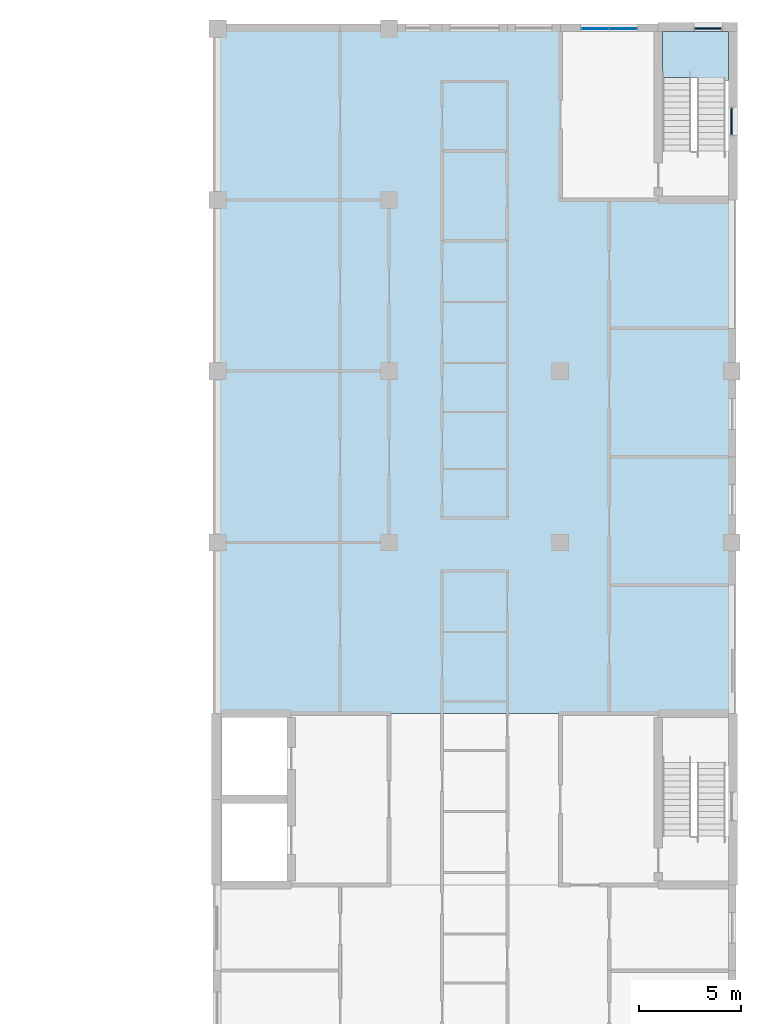
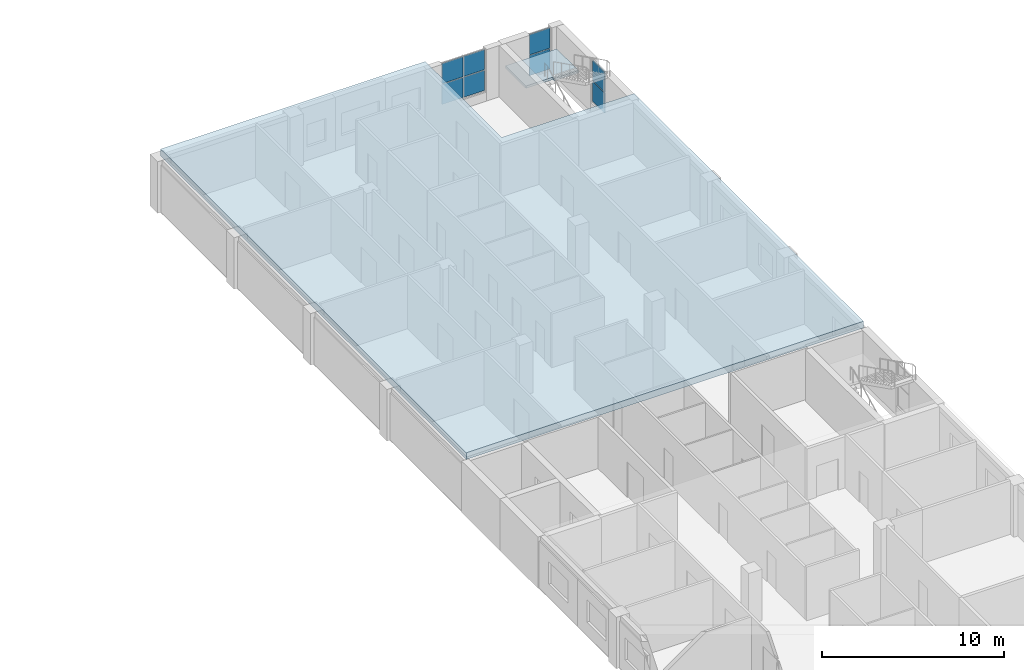
# One storey, part 50 of 94: 8 plates, 2 slabs, 4 elements without a shape of their own.
"""IFC4 building model written with IfcOpenShell, lengths in metres."""

from ifc_helpers import new_model, si_unit, direction, frame, origin, origin_2d, place, context, subcontext, project, spatial, polyline, rectangle, outline, extrude, material, layer, layer_set, type_object, element, aggregate, save


model = new_model("IFC4")

# Units and contexts
model_context = context("Model", 3, precision=1e-05, world=origin(), true_north=direction((0.0, 1.0)))
body_context = subcontext(model_context, "Body", "Model", "MODEL_VIEW")
ifc_project = project(units=[si_unit("LENGTHUNIT", "METRE"), si_unit("AREAUNIT", "SQUARE_METRE"), si_unit("VOLUMEUNIT", "CUBIC_METRE"), si_unit("PLANEANGLEUNIT", "RADIAN"), si_unit("MASSUNIT", "GRAM", prefix="KILO")], contexts=[model_context])

# Site, building, storey
site_placement = place(None, origin())
site = spatial("IfcSite", under=ifc_project, at=site_placement, CompositionType="ELEMENT")
building_placement = place(site_placement, origin())
building = spatial("IfcBuilding", under=site, at=building_placement, Name="Yavir Park General Hospital", CompositionType="ELEMENT")
storey_placement = place(building_placement, frame((0.0, 0.0, 4.5)))
storey = spatial("IfcBuildingStorey", under=building, at=storey_placement, Name="L01", CompositionType="ELEMENT", Elevation=4.5)

# Curtain wall, plates
ifc_material_1 = material(Name="Aluminium curtain wall frame with insulated glazing", Category="aluminium")
curtain_wall_type_1 = type_object("IfcCurtainWallType", Name="Clinical corridor end glazing, 2850 high, 1400 module", PredefinedType="NOTDEFINED", material=ifc_material_1)
curtain_wall_1_placement = place(storey_placement, origin())
curtain_wall_1 = element("IfcCurtainWall", 1, at=curtain_wall_1_placement, inside=storey, type_object=curtain_wall_type_1, Name="CW18 L01-013", PredefinedType="NOTDEFINED")
ifc_material_2 = material(Name="Solar-control insulated glazed unit 40 mm")
ifc_layer_1 = layer(ifc_material_2, 0.0400390625)
ifc_layer_set_1 = layer_set([ifc_layer_1], Name="Solar-control insulated glazed unit 40 mm")
plate_type_1 = type_object("IfcPlateType", Name="Clinical corridor end glazing, 2850 high panel 40", PredefinedType="CURTAIN_PANEL", material=ifc_layer_set_1)
plate_1_placement = place(storey_placement, frame((161.3125, 117.60009765625, 0.64990234375), z_axis=(0.0, 0.0, 1.0), x_axis=(1.0, 0.0, 0.0)))
plate_1 = element("IfcPlate", 2, at=plate_1_placement, type_object=plate_type_1, Name="CW18 panel 1.1", PredefinedType="CURTAIN_PANEL", context=body_context, shape_type="SweptSolid", body=[
    extrude(rectangle(XDim=1.324951171875, YDim=0.0400390625, at=origin_2d()), origin(), (0.0, 0.0, 1.0), 1.35009765625),
])
plate_2_placement = place(storey_placement, frame((161.3125, 117.60009765625, 2.050048828125), z_axis=(0.0, 0.0, 1.0), x_axis=(1.0, 0.0, 0.0)))
plate_2 = element("IfcPlate", 3, at=plate_2_placement, type_object=plate_type_1, Name="CW18 panel 1.2", PredefinedType="CURTAIN_PANEL", context=body_context, shape_type="SweptSolid", body=[
    extrude(rectangle(XDim=1.324951171875, YDim=0.0400390625, at=origin_2d()), origin(), (0.0, 0.0, 1.0), 1.35009765625),
])
plate_3_placement = place(storey_placement, frame((162.6875, 117.60009765625, 0.64990234375), z_axis=(0.0, 0.0, 1.0), x_axis=(1.0, 0.0, 0.0)))
plate_3 = element("IfcPlate", 4, at=plate_3_placement, type_object=plate_type_1, Name="CW18 panel 2.1", PredefinedType="CURTAIN_PANEL", context=body_context, shape_type="SweptSolid", body=[
    extrude(rectangle(XDim=1.324951171875, YDim=0.0400390625, at=origin_2d()), origin(), (0.0, 0.0, 1.0), 1.35009765625),
])
plate_4_placement = place(storey_placement, frame((162.6875, 117.60009765625, 2.050048828125), z_axis=(0.0, 0.0, 1.0), x_axis=(1.0, 0.0, 0.0)))
plate_4 = element("IfcPlate", 5, at=plate_4_placement, type_object=plate_type_1, Name="CW18 panel 2.2", PredefinedType="CURTAIN_PANEL", context=body_context, shape_type="SweptSolid", body=[
    extrude(rectangle(XDim=1.324951171875, YDim=0.0400390625, at=origin_2d()), origin(), (0.0, 0.0, 1.0), 1.35009765625),
])
aggregate(curtain_wall_1, [plate_1, plate_2, plate_3, plate_4])

# Stair, slab
ifc_material_3 = material(Name="Concrete C30/37", Category="concrete")
stair_type = type_object("IfcStairType", Name="Patient escape stair, 26 risers of 150 mm, 1400 mm flights", PredefinedType="HALF_TURN_STAIR", material=ifc_material_3)
stair_placement = place(storey_placement, origin())
stair = element("IfcStair", 6, at=stair_placement, inside=storey, type_object=stair_type, Name="Stair ES3, L01 to L02", PredefinedType="HALF_TURN_STAIR")
ifc_material_4 = material(Name="Concrete C30/37", Category="concrete")
ifc_layer_2 = layer(ifc_material_4, 0.159912109375)
ifc_layer_set_2 = layer_set([ifc_layer_2], Name="Concrete C30/37")
slab_type_1 = type_object("IfcSlabType", Name="Patient escape stair half landing, reinforced concrete 160 mm", PredefinedType="LANDING", material=ifc_layer_set_2)
slab_1_placement = place(storey_placement, frame((0.0, 0.0, 1.7900390625)))
slab_1 = element("IfcSlab", 7, at=slab_1_placement, type_object=slab_type_1, Name="ES3 landing 1", PredefinedType="LANDING", context=body_context, shape_type="SweptSolid", body=[
    extrude(outline(polyline([(164.60009765625, 115.198486328125), (164.60009765625, 117.449951171875), (167.85009765625, 117.449951171875), (167.85009765625, 115.050048828125), (166.300048828125, 115.050048828125), (166.300048828125, 115.198486328125), (164.60009765625, 115.198486328125)])), origin(), (0.0, 0.0, 1.0), 0.159912109375),
])
aggregate(stair, [slab_1])

# Slab
ifc_material_5 = material(Name="Concrete C35/45", Category="concrete")
ifc_layer_3 = layer(ifc_material_5, 0.449951171875)
ifc_layer_set_3 = layer_set([ifc_layer_3], Name="Concrete C35/45")
slab_type_2 = type_object("IfcSlabType", Name="RC SLAB ROOF 450", PredefinedType="ROOF", material=ifc_layer_set_3)
slab_2_placement = place(storey_placement, frame((0.0, 0.0, 3.44970703125)))
element("IfcSlab", 8, at=slab_2_placement, inside=storey, type_object=slab_type_2, Name="Helipad deck, flight crew access only", PredefinedType="ROOF", context=body_context, shape_type="SweptSolid", body=[
    extrude(outline(polyline([(168.0, 84.0), (168.0, 109.199951171875), (159.60009765625, 109.199951171875), (159.60009765625, 117.60009765625), (142.800048828125, 117.60009765625), (142.800048828125, 84.0), (168.0, 84.0)])), origin(), (0.0, 0.0, 1.0), 0.4501953125),
])

# Curtain wall, plates
ifc_material_6 = material(Name="Aluminium curtain wall frame with insulated glazing", Category="aluminium")
curtain_wall_type_2 = type_object("IfcCurtainWallType", Name="Stair light slot, podium, 2850 high, 1400 module", PredefinedType="NOTDEFINED", material=ifc_material_6)
curtain_wall_2_placement = place(storey_placement, origin())
curtain_wall_2 = element("IfcCurtainWall", 9, at=curtain_wall_2_placement, inside=storey, type_object=curtain_wall_type_2, Name="CW9 L01-014", PredefinedType="NOTDEFINED")
ifc_material_7 = material(Name="Fire-resisting glazed unit 70 mm")
ifc_layer_4 = layer(ifc_material_7, 0.070068359375)
ifc_layer_set_4 = layer_set([ifc_layer_4], Name="Fire-resisting glazed unit 70 mm")
plate_type_2 = type_object("IfcPlateType", Name="Stair light slot, podium, 2850 high panel 70", PredefinedType="CURTAIN_PANEL", material=ifc_layer_set_4)
plate_5_placement = place(storey_placement, frame((166.85009765625, 117.60009765625, 0.64990234375), z_axis=(0.0, 0.0, 1.0), x_axis=(1.0, 0.0, 0.0)))
plate_5 = element("IfcPlate", 10, at=plate_5_placement, type_object=plate_type_2, Name="CW9 panel 1.1", PredefinedType="CURTAIN_PANEL", context=body_context, shape_type="SweptSolid", body=[
    extrude(rectangle(XDim=1.300048828125, YDim=0.070068359375, at=origin_2d()), origin(), (0.0, 0.0, 1.0), 1.35009765625),
])
plate_6_placement = place(storey_placement, frame((166.85009765625, 117.60009765625, 2.050048828125), z_axis=(0.0, 0.0, 1.0), x_axis=(1.0, 0.0, 0.0)))
plate_6 = element("IfcPlate", 11, at=plate_6_placement, type_object=plate_type_2, Name="CW9 panel 1.2", PredefinedType="CURTAIN_PANEL", context=body_context, shape_type="SweptSolid", body=[
    extrude(rectangle(XDim=1.300048828125, YDim=0.070068359375, at=origin_2d()), origin(), (0.0, 0.0, 1.0), 1.35009765625),
])
aggregate(curtain_wall_2, [plate_5, plate_6])

curtain_wall_3_placement = place(storey_placement, origin())
curtain_wall_3 = element("IfcCurtainWall", 12, at=curtain_wall_3_placement, inside=storey, type_object=curtain_wall_type_2, Name="CW9 L01-033", PredefinedType="NOTDEFINED")
plate_7_placement = place(storey_placement, frame((168.0, 113.050048828125, 0.64990234375), z_axis=(0.0, 0.0, 1.0), x_axis=(0.0, 1.0, 0.0)))
plate_7 = element("IfcPlate", 13, at=plate_7_placement, type_object=plate_type_2, Name="CW9 panel 1.1", PredefinedType="CURTAIN_PANEL", context=body_context, shape_type="SweptSolid", body=[
    extrude(rectangle(XDim=1.300048828125, YDim=0.070068359375, at=origin_2d()), origin(), (0.0, 0.0, 1.0), 1.35009765625),
])
plate_8_placement = place(storey_placement, frame((168.0, 113.050048828125, 2.050048828125), z_axis=(0.0, 0.0, 1.0), x_axis=(0.0, 1.0, 0.0)))
plate_8 = element("IfcPlate", 14, at=plate_8_placement, type_object=plate_type_2, Name="CW9 panel 1.2", PredefinedType="CURTAIN_PANEL", context=body_context, shape_type="SweptSolid", body=[
    extrude(rectangle(XDim=1.300048828125, YDim=0.070068359375, at=origin_2d()), origin(), (0.0, 0.0, 1.0), 1.35009765625),
])
aggregate(curtain_wall_3, [plate_7, plate_8])

save(model, "model.ifc")
